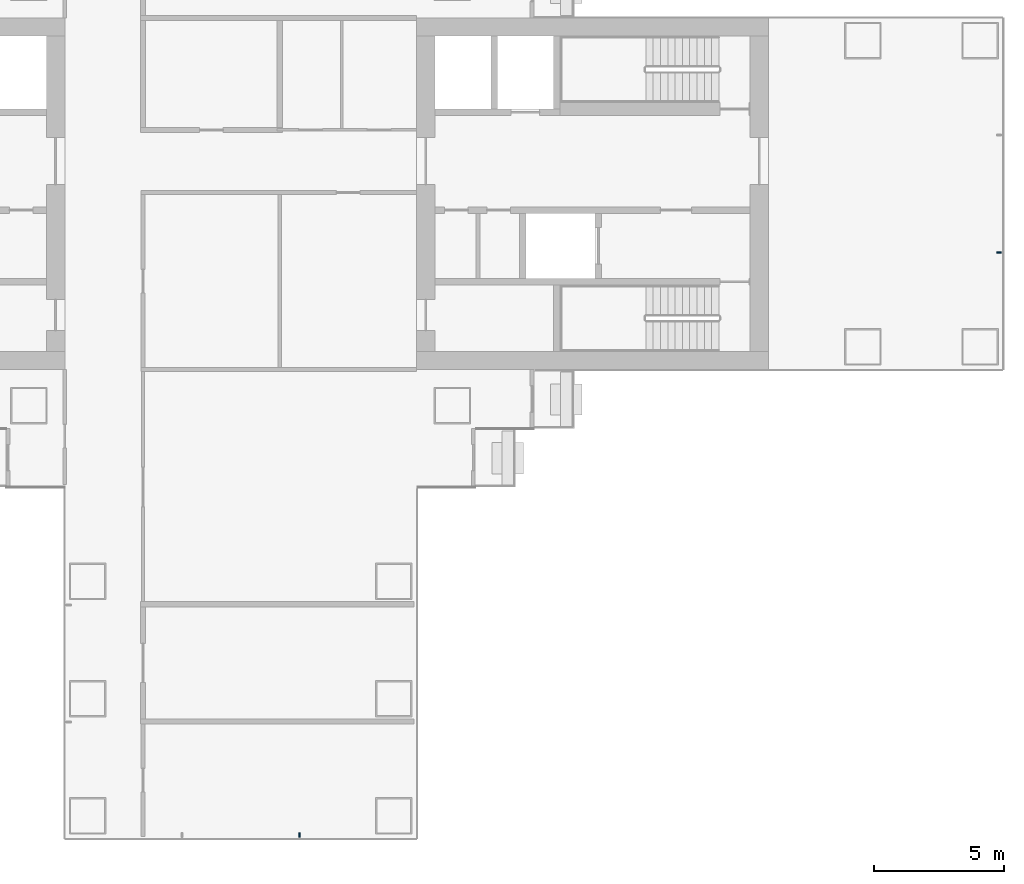
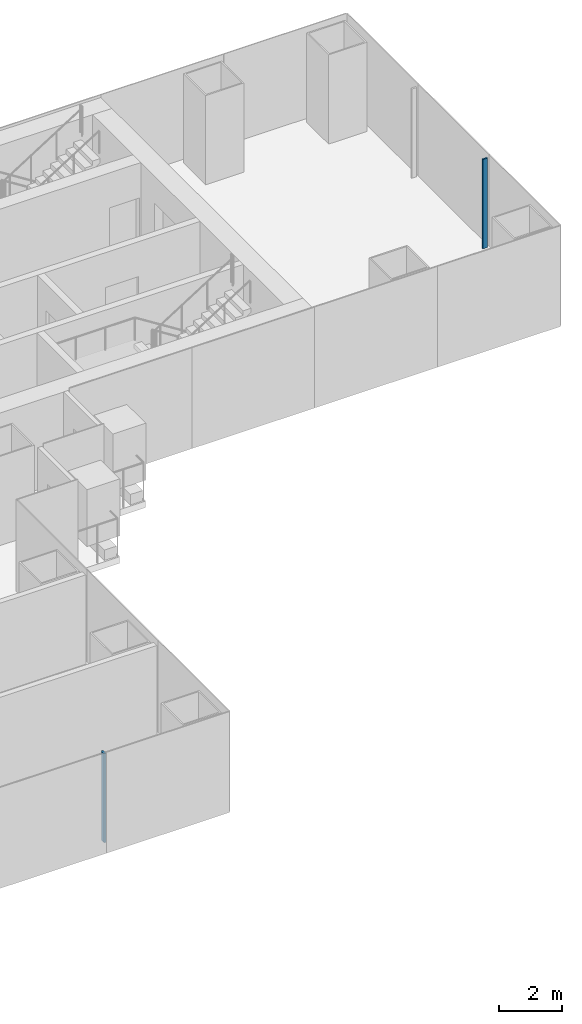
# One storey, part 8 of 22: 2 members, 2 elements without a shape of their own.
"""IFC4 building model written with IfcOpenShell, lengths in metres."""

from ifc_helpers import new_model, si_unit, direction, frame, origin, origin_2d, place, context, subcontext, project, spatial, rectangle, extrude, material, layer, layer_set, material_profile, profile_set, type_object, element, aggregate, save


model = new_model("IFC4")

# Units and contexts
model_context = context("Model", 3, precision=1e-05, world=origin(), true_north=direction((0.0, 1.0)))
body_context = subcontext(model_context, "Body", "Model", "MODEL_VIEW")
ifc_project = project(units=[si_unit("LENGTHUNIT", "METRE"), si_unit("AREAUNIT", "SQUARE_METRE"), si_unit("VOLUMEUNIT", "CUBIC_METRE"), si_unit("PLANEANGLEUNIT", "RADIAN"), si_unit("MASSUNIT", "GRAM", prefix="KILO")], contexts=[model_context])

# Site, building, storey
site_placement = place(None, origin())
site = spatial("IfcSite", under=ifc_project, at=site_placement, CompositionType="ELEMENT")
building_placement = place(site_placement, origin())
building = spatial("IfcBuilding", under=site, at=building_placement, Name="Shamsa Quay Exchange Towers", CompositionType="ELEMENT")
storey_placement = place(building_placement, frame((0.0, 0.0, 73.199951171875)))
storey = spatial("IfcBuildingStorey", under=building, at=storey_placement, Name="L16", CompositionType="ELEMENT", Elevation=73.199951171875)

# Curtain wall, member
ifc_material = material(Name="Aluminium EN AW-6063 T6, black anodised", Category="aluminium")
ifc_layer = layer(ifc_material, 0.280029296875)
ifc_layer_set = layer_set([ifc_layer], Name="CW-1 UNITISED VISION GLASS")
curtain_wall_type = type_object("IfcCurtainWallType", Name="CW-1 UNITISED VISION GLASS", PredefinedType="NOTDEFINED", material=ifc_layer_set)
curtain_wall_1_placement = place(storey_placement, origin())
curtain_wall_1 = element("IfcCurtainWall", 1, at=curtain_wall_1_placement, inside=storey, type_object=curtain_wall_type, Name="CW1 T2-END-V- L16", PredefinedType="NOTDEFINED")
ifc_material_profile = material_profile(ifc_material, rectangle(XDim=0.179931640625, YDim=0.06005859375, at=origin_2d()), Name="MU60x180")
ifc_profile_set = profile_set([ifc_material_profile], Name="Aluminium EN AW-6063 T6, black anodised")
member_type = type_object("IfcMemberType", Name="CW1 MULLION 60x180", PredefinedType="MULLION", material=ifc_profile_set)
member_1_placement = place(storey_placement, frame((62.85009765625, -2.25, 0.0), z_axis=(0.0, 0.0, 1.0), x_axis=(-1.0, 0.0, 0.0)))
member_1 = element("IfcMember", 2, at=member_1_placement, type_object=member_type, Name="CW1 mullion", PredefinedType="MULLION", context=body_context, shape_type="SweptSolid", body=[
    extrude(rectangle(XDim=0.179931640625, YDim=0.06005859375, at=origin_2d()), origin(), (0.0, 0.0, 1.0), 3.449951171875),
])
aggregate(curtain_wall_1, [member_1])

curtain_wall_2_placement = place(storey_placement, origin())
curtain_wall_2 = element("IfcCurtainWall", 3, at=curtain_wall_2_placement, inside=storey, type_object=curtain_wall_type, Name="CW1 T2-END-U- L16", PredefinedType="NOTDEFINED")
member_2_placement = place(storey_placement, frame((36.0, -24.60009765625, 0.0), z_axis=(0.0, 0.0, 1.0), x_axis=(0.0, 1.0, 0.0)))
member_2 = element("IfcMember", 4, at=member_2_placement, type_object=member_type, Name="CW1 mullion", PredefinedType="MULLION", context=body_context, shape_type="SweptSolid", body=[
    extrude(rectangle(XDim=0.179931640625, YDim=0.06005859375, at=origin_2d()), origin(), (0.0, 0.0, 1.0), 3.449951171875),
])
aggregate(curtain_wall_2, [member_2])

save(model, "model.ifc")
